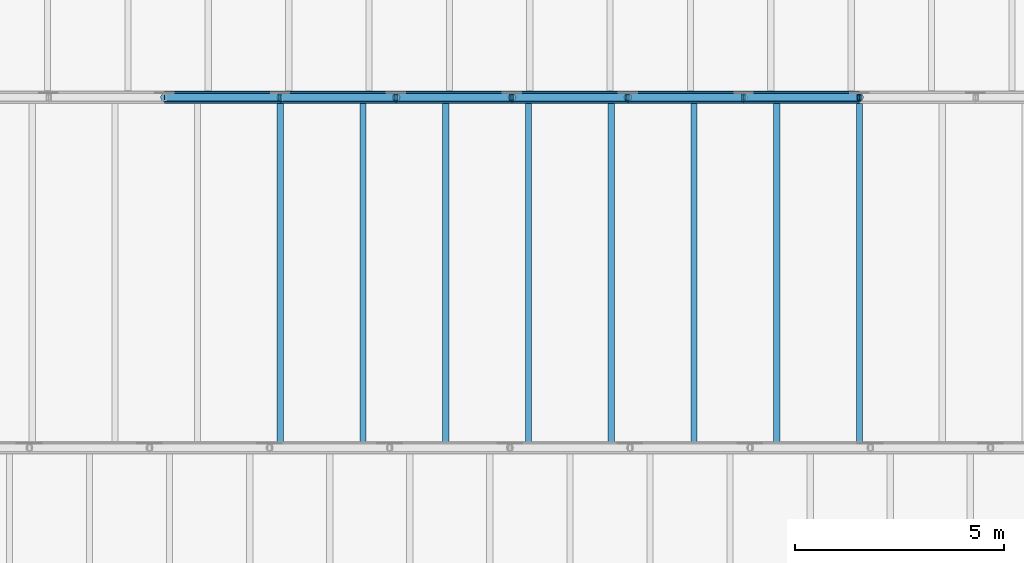
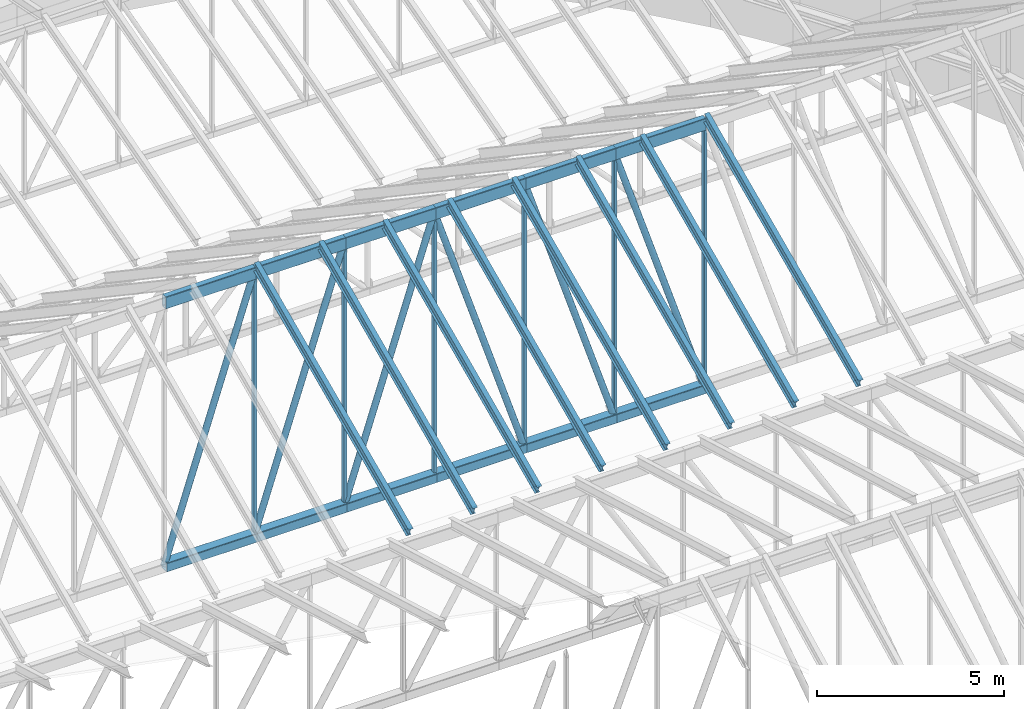
# One storey, part 22 of 68: 20 members, 12 beams.
"""IFC4 building model written with IfcOpenShell, lengths in metres."""

import ifcopenshell
import ifcopenshell.guid

model = None  # the IFC model being written
_history = None  # IfcOwnerHistory: only IFC2X3 demands one
_inside = {}  # id of a spatial element -> (the spatial element, [elements in it])
_under = {}  # id of a project, library or spatial element -> (it, [spatial elements below it])
_declared = {}  # id of a project -> (the project, [libraries it declares])
_typed = {}  # id of a type object -> (the type object, [elements of that type])
_made_of = {}  # id of a material, layer set ... -> (it, [elements and type objects made of it])


def new_model(schema):
    """Start an empty IFC model of exactly this schema.

    Asked for "IFC4X3", IfcOpenShell would pick the latest addendum, in which some entities
    have other attributes; the version numbers below select the first issue.
    IFC2X3 requires an IfcOwnerHistory on every rooted entity: one is made here for all.
    """
    global model, _history
    if schema == "IFC4X3":
        model = ifcopenshell.file(schema_version=(4, 3, 0, 0))
    else:
        model = ifcopenshell.file(schema=schema)
    _inside.clear()
    _under.clear()
    _declared.clear()
    _typed.clear()
    _made_of.clear()
    _history = None
    if model.schema == "IFC2X3":
        org = make("IfcOrganization", Name="unknown")
        user = make(
            "IfcPersonAndOrganization",
            ThePerson=make("IfcPerson", FamilyName="unknown"),
            TheOrganization=org,
        )
        app = make(
            "IfcApplication",
            ApplicationDeveloper=org,
            Version="unknown",
            ApplicationFullName="unknown",
            ApplicationIdentifier="unknown",
        )
        _history = make(
            "IfcOwnerHistory",
            OwningUser=user,
            OwningApplication=app,
            ChangeAction="ADDED",
            CreationDate=0,
        )
    return model


def make(cls, **values):
    """One entity of the class cls with the attributes given. An attribute that is None is left unset."""
    return model.create_entity(
        cls, **{name: value for name, value in values.items() if value is not None}
    )


def rooted(cls, **values):
    """An entity with a GlobalId (a new one), such as an element, a storey or a relation."""
    return make(cls, GlobalId=ifcopenshell.guid.new(), OwnerHistory=_history, **values)


def si_unit(unit_type, name, prefix=None):
    """IfcSIUnit, for example si_unit("LENGTHUNIT", "METRE", prefix="MILLI")."""
    return make("IfcSIUnit", UnitType=unit_type, Prefix=prefix, Name=name)


def assignment(units):
    """IfcUnitAssignment: the units of a project."""
    return None if units is None else make("IfcUnitAssignment", Units=units)


def point(xyz):
    """IfcCartesianPoint."""
    return None if xyz is None else make("IfcCartesianPoint", Coordinates=xyz)


def direction(xyz):
    """IfcDirection."""
    return None if xyz is None else make("IfcDirection", DirectionRatios=xyz)


def frame(location, z_axis=None, x_axis=None):
    """IfcAxis2Placement3D, a coordinate frame: its origin and axes. An axis left out is left unset."""
    return make(
        "IfcAxis2Placement3D",
        Location=point(location),
        Axis=direction(z_axis),
        RefDirection=direction(x_axis),
    )


def frame_2d(location, x_axis=None):
    """IfcAxis2Placement2D, a coordinate frame in the plane: its origin and x axis."""
    return make(
        "IfcAxis2Placement2D", Location=point(location), RefDirection=direction(x_axis)
    )


def origin():
    """The frame at (0, 0, 0) with its axes left unset."""
    return frame((0.0, 0.0, 0.0))


def origin_2d():
    """The frame at (0, 0) in the plane with its x axis left unset."""
    return frame_2d((0.0, 0.0))


def place(relative_to, where):
    """IfcLocalPlacement: puts the frame where relative to a parent placement (None: the world)."""
    return make(
        "IfcLocalPlacement", PlacementRelTo=relative_to, RelativePlacement=where
    )


def context(
    kind, dimensions, precision=None, world=None, true_north=None, identifier=None
):
    """IfcGeometricRepresentationContext, for example the 3D "Model" context."""
    return make(
        "IfcGeometricRepresentationContext",
        ContextIdentifier=identifier,
        ContextType=kind,
        CoordinateSpaceDimension=dimensions,
        Precision=precision,
        WorldCoordinateSystem=world,
        TrueNorth=true_north,
    )


def subcontext(parent, identifier, kind, view, scale=None):
    """IfcGeometricRepresentationSubContext, for example "Body" below "Model"."""
    return make(
        "IfcGeometricRepresentationSubContext",
        ContextIdentifier=identifier,
        ContextType=kind,
        ParentContext=parent,
        TargetScale=scale,
        TargetView=view,
    )


def project(units=None, contexts=None):
    """IfcProject with its units and contexts."""
    return rooted(
        "IfcProject",
        Name="project",
        RepresentationContexts=contexts,
        UnitsInContext=assignment(units),
    )


def spatial(cls, under=None, at=None, **own):
    """A site, building, storey or space (cls), placed at a placement, below another one or the project."""
    s = rooted(cls, ObjectPlacement=at, **own)
    if under is not None:
        _under.setdefault(under.id(), (under, []))[1].append(s)
    return s


def profile(cls, at=None, kind="AREA", **sizes):
    """A parametric profile (cls). Its sizes go by their IFC names, for example OverallWidth=200.0."""
    return make(cls, ProfileType=kind, Position=at, **sizes)


def hollow_rectangle(**sizes):
    """IfcRectangleHollowProfileDef."""
    return profile("IfcRectangleHollowProfileDef", **sizes)


def hollow_circle(**sizes):
    """IfcCircleHollowProfileDef."""
    return profile("IfcCircleHollowProfileDef", **sizes)


def i_section(**sizes):
    """IfcIShapeProfileDef."""
    return profile("IfcIShapeProfileDef", **sizes)


def extrude(swept, where, along, depth):
    """IfcExtrudedAreaSolid: the profile swept, set in the frame where, extruded along a direction by depth."""
    return make(
        "IfcExtrudedAreaSolid",
        SweptArea=swept,
        Position=where,
        ExtrudedDirection=direction(along),
        Depth=depth,
    )


def shape(context_of_items, identifier, shape_type, items):
    """IfcShapeRepresentation: the items that make up one representation, for example the "Body"."""
    return make(
        "IfcShapeRepresentation",
        ContextOfItems=context_of_items,
        RepresentationIdentifier=identifier,
        RepresentationType=shape_type,
        Items=items,
    )


def material(Name=None, Category=None):
    """IfcMaterial."""
    return make("IfcMaterial", Name=Name, Category=Category)


def material_profile(
    of_material, cross_section, Name=None, Category=None, Priority=None
):
    """IfcMaterialProfile: a cross section and its material."""
    return make(
        "IfcMaterialProfile",
        Name=Name,
        Material=of_material,
        Profile=cross_section,
        Priority=Priority,
        Category=Category,
    )


def profile_set(profiles, Name=None, composite=None):
    """IfcMaterialProfileSet."""
    return make(
        "IfcMaterialProfileSet",
        Name=Name,
        MaterialProfiles=profiles,
        CompositeProfile=composite,
    )


def made_of(thing, what):
    """Note that an element or type object is made of a material, layer set ...; save() writes the relation."""
    if what is not None:
        _made_of.setdefault(what.id(), (what, []))[1].append(thing)
    return thing


def type_object(cls, material=None, **own):
    """A type object (cls), such as IfcWallType, which elements share."""
    return made_of(rooted(cls, **own), material)


def element(
    cls,
    number,
    at=None,
    inside=None,
    cuts=None,
    type_object=None,
    material=None,
    context=None,
    identifier="Body",
    shape_type=None,
    held_by="IfcProductDefinitionShape",
    body=None,
    shapes=None,
    **own,
):
    """One element of the class cls, such as IfcWall. Its Tag is "e" and its number.

    at: its placement. inside: the storey or other place that contains it. cuts: it is an
    opening in that element (IfcRelVoidsElement). A single representation is given by context,
    identifier, shape_type and body (its items); several are given by shapes. held_by: the class
    of the entity that holds the representations. save() writes the other relations.
    """
    e = rooted(cls, Tag="e%d" % number, ObjectPlacement=at, **own)
    if body is not None:
        shapes = [shape(context, identifier, shape_type, body)]
    if shapes is not None:
        e.Representation = make(held_by, Representations=shapes)
    if inside is not None:
        _inside.setdefault(inside.id(), (inside, []))[1].append(e)
    if cuts is not None:
        rooted(
            "IfcRelVoidsElement", RelatingBuildingElement=cuts, RelatedOpeningElement=e
        )
    if type_object is not None:
        _typed.setdefault(type_object.id(), (type_object, []))[1].append(e)
    return made_of(e, material)


def aggregate(whole, parts):
    """IfcRelAggregates: a whole, such as a stair, and the parts it consists of."""
    return rooted("IfcRelAggregates", RelatingObject=whole, RelatedObjects=parts)


def save(model, path):
    """Write the relations noted so far, then the file.

    IfcRelAggregates (storeys below a building ...), IfcRelContainedInSpatialStructure (elements
    in a storey), IfcRelDefinesByType, IfcRelAssociatesMaterial and IfcRelDeclares: one each for
    every whole, place, type object, material and project.
    """
    for whole, parts in _under.values():
        aggregate(whole, parts)
    for where, things in _inside.values():
        rooted(
            "IfcRelContainedInSpatialStructure",
            RelatedElements=things,
            RelatingStructure=where,
        )
    for kind, things in _typed.values():
        rooted("IfcRelDefinesByType", RelatedObjects=things, RelatingType=kind)
    for what, things in _made_of.values():
        rooted("IfcRelAssociatesMaterial", RelatedObjects=things, RelatingMaterial=what)
    for by, libraries in _declared.values():
        rooted("IfcRelDeclares", RelatingContext=by, RelatedDefinitions=libraries)
    model.write(path)


model = new_model("IFC4")

# Units and contexts
model_context = context("Model", 3, precision=1e-05, world=origin(), true_north=direction((0.0, 1.0)))
body_context = subcontext(model_context, "Body", "Model", "MODEL_VIEW")
ifc_project = project(units=[si_unit("LENGTHUNIT", "METRE"), si_unit("AREAUNIT", "SQUARE_METRE"), si_unit("VOLUMEUNIT", "CUBIC_METRE"), si_unit("PLANEANGLEUNIT", "RADIAN"), si_unit("MASSUNIT", "GRAM", prefix="KILO")], contexts=[model_context])

# Site, building, storey
site_placement = place(None, origin())
site = spatial("IfcSite", under=ifc_project, at=site_placement, CompositionType="ELEMENT")
building_placement = place(site_placement, origin())
building = spatial("IfcBuilding", under=site, at=building_placement, Name="Larchfold Concert Hall", CompositionType="ELEMENT")
storey_placement = place(building_placement, frame((0.0, 0.0, 28.800048828125)))
storey = spatial("IfcBuildingStorey", under=building, at=storey_placement, Name="L06", CompositionType="ELEMENT", Elevation=28.800048828125)

# Members
ifc_material_1 = material(Name="Steel S355", Category="steel")
ifc_material_profile_1 = material_profile(ifc_material_1, i_section(OverallWidth=0.14990234375, OverallDepth=0.300048828125, WebThickness=0.007080078125, FlangeThickness=0.0107421875, FilletRadius=0.014892578125, at=origin_2d()))
ifc_profile_set_1 = profile_set([ifc_material_profile_1], Name="Steel S355")
member_type_1 = type_object("IfcMemberType", Name="Rafter IPE 300", PredefinedType="RAFTER", material=ifc_profile_set_1)
for number, where, z_axis, x_axis, name in (
    (1, (35.6572265625, 85.280029296875, 5.144775390625), (0.0, 0.911121197743, 0.412138524072), (-1.0, 0.0, 0.0), "Member RF0074"),
    (2, (37.640869140625, 85.280029296875, 5.144775390625), (0.0, 0.911121197743, 0.412138524072), (-1.0, 0.0, 0.0), "Member RF0075"),
    (3, (39.62451171875, 85.280029296875, 5.144775390625), (0.0, 0.911121197743, 0.412138524072), (-1.0, 0.0, 0.0), "Member RF0076"),
    (4, (41.608154296875, 85.280029296875, 5.144775390625), (0.0, 0.911121197743, 0.412138524072), (-1.0, 0.0, 0.0), "Member RF0077"),
    (5, (43.592041015625, 85.280029296875, 5.144775390625), (0.0, 0.911121197743, 0.412138524072), (-1.0, 0.0, 0.0), "Member RF0078"),
    (6, (45.57568359375, 85.280029296875, 5.144775390625), (0.0, 0.911121197743, 0.412138524072), (-1.0, 0.0, 0.0), "Member RF0079"),
    (7, (47.559326171875, 85.280029296875, 5.144775390625), (0.0, 0.911121197743, 0.412138524072), (-1.0, 0.0, 0.0), "Member RF0080"),
    (8, (49.54296875, 85.280029296875, 5.144775390625), (0.0, 0.911121197743, 0.412138524072), (-1.0, 0.0, 0.0), "Member RF0081"),
):
    element("IfcMember", number, at=place(storey_placement, frame(where, z_axis=z_axis, x_axis=x_axis)), inside=storey, type_object=member_type_1, Name=name, PredefinedType="RAFTER", context=body_context, shape_type="SweptSolid", body=[
        extrude(i_section(OverallWidth=0.14990234375, OverallDepth=0.300048828125, WebThickness=0.007080078125, FlangeThickness=0.0107421875, FilletRadius=0.014892578125, at=origin_2d()), origin(), (0.0, 0.0, 1.0), 9.043701171875),
    ])

# Beams
ifc_material_2 = material(Name="Steel S355J2H", Category="steel")
ifc_material_profile_2 = material_profile(ifc_material_2, hollow_rectangle(XDim=0.199951171875, YDim=0.39990234375, WallThickness=0.012451171875, InnerFilletRadius=0.018798828125, OuterFilletRadius=0.03125, at=origin_2d()))
ifc_profile_set_2 = profile_set([ifc_material_profile_2], Name="Steel S355J2H")
beam_type_1 = type_object("IfcBeamType", Name="Truss chord RHS 400x200x12.5", PredefinedType="BEAM", material=ifc_profile_set_2)
beam_1_placement = place(storey_placement, frame((32.877197265625, 93.60009765625, 8.599853515625), z_axis=(1.0, 0.0, 0.0), x_axis=(0.0, 1.0, 0.0)))
element("IfcBeam", 9, at=beam_1_placement, inside=storey, type_object=beam_type_1, Name="Beam FT5T06", PredefinedType="BEAM", context=body_context, shape_type="SweptSolid", body=[
    extrude(hollow_rectangle(XDim=0.199951171875, YDim=0.39990234375, WallThickness=0.012451171875, InnerFilletRadius=0.018798828125, OuterFilletRadius=0.03125, at=origin_2d()), origin(), (0.0, 0.0, 1.0), 2.778076171875),
])
beam_2_placement = place(storey_placement, frame((35.6552734375, 93.60009765625, 8.599853515625), z_axis=(1.0, 0.0, 0.0), x_axis=(0.0, 1.0, 0.0)))
element("IfcBeam", 10, at=beam_2_placement, inside=storey, type_object=beam_type_1, Name="Beam FT5T07", PredefinedType="BEAM", context=body_context, shape_type="SweptSolid", body=[
    extrude(hollow_rectangle(XDim=0.199951171875, YDim=0.39990234375, WallThickness=0.012451171875, InnerFilletRadius=0.018798828125, OuterFilletRadius=0.03125, at=origin_2d()), origin(), (0.0, 0.0, 1.0), 2.77783203125),
])
beam_3_placement = place(storey_placement, frame((38.43310546875, 93.60009765625, 8.599853515625), z_axis=(1.0, 0.0, 0.0), x_axis=(0.0, 1.0, 0.0)))
element("IfcBeam", 11, at=beam_3_placement, inside=storey, type_object=beam_type_1, Name="Beam FT5T08", PredefinedType="BEAM", context=body_context, shape_type="SweptSolid", body=[
    extrude(hollow_rectangle(XDim=0.199951171875, YDim=0.39990234375, WallThickness=0.012451171875, InnerFilletRadius=0.018798828125, OuterFilletRadius=0.03125, at=origin_2d()), origin(), (0.0, 0.0, 1.0), 2.778076171875),
])
beam_4_placement = place(storey_placement, frame((41.211181640625, 93.60009765625, 8.599853515625), z_axis=(1.0, 0.0, 0.0), x_axis=(0.0, 1.0, 0.0)))
element("IfcBeam", 12, at=beam_4_placement, inside=storey, type_object=beam_type_1, Name="Beam FT5T09", PredefinedType="BEAM", context=body_context, shape_type="SweptSolid", body=[
    extrude(hollow_rectangle(XDim=0.199951171875, YDim=0.39990234375, WallThickness=0.012451171875, InnerFilletRadius=0.018798828125, OuterFilletRadius=0.03125, at=origin_2d()), origin(), (0.0, 0.0, 1.0), 2.77783203125),
])
beam_5_placement = place(storey_placement, frame((43.989013671875, 93.60009765625, 8.599853515625), z_axis=(1.0, 0.0, 0.0), x_axis=(0.0, 1.0, 0.0)))
element("IfcBeam", 13, at=beam_5_placement, inside=storey, type_object=beam_type_1, Name="Beam FT5T10", PredefinedType="BEAM", context=body_context, shape_type="SweptSolid", body=[
    extrude(hollow_rectangle(XDim=0.199951171875, YDim=0.39990234375, WallThickness=0.012451171875, InnerFilletRadius=0.018798828125, OuterFilletRadius=0.03125, at=origin_2d()), origin(), (0.0, 0.0, 1.0), 2.778076171875),
])
beam_6_placement = place(storey_placement, frame((46.76708984375, 93.60009765625, 8.599853515625), z_axis=(1.0, 0.0, 0.0), x_axis=(0.0, 1.0, 0.0)))
element("IfcBeam", 14, at=beam_6_placement, inside=storey, type_object=beam_type_1, Name="Beam FT5T11", PredefinedType="BEAM", context=body_context, shape_type="SweptSolid", body=[
    extrude(hollow_rectangle(XDim=0.199951171875, YDim=0.39990234375, WallThickness=0.012451171875, InnerFilletRadius=0.018798828125, OuterFilletRadius=0.03125, at=origin_2d()), origin(), (0.0, 0.0, 1.0), 2.77783203125),
])

# Members
ifc_material_3 = material(Name="Steel S355J2H", Category="steel")
ifc_material_profile_3 = material_profile(ifc_material_3, hollow_rectangle(XDim=0.10009765625, YDim=0.14990234375, WallThickness=0.008056640625, InnerFilletRadius=0.008056640625, OuterFilletRadius=0.01611328125, at=origin_2d()))
ifc_profile_set_3 = profile_set([ifc_material_profile_3], Name="Steel S355J2H")
member_type_2 = type_object("IfcMemberType", Name="Truss post RHS 150x100x8", PredefinedType="POST", material=ifc_profile_set_3)
for number, where, z_axis, x_axis, name in (
    (15, (35.6552734375, 93.60009765625, 8.599853515625), (0.0, 0.0, -1.0), (1.0, 0.0, 0.0), "Member FT5V07"),
    (16, (38.43310546875, 93.60009765625, 8.599853515625), (0.0, 0.0, -1.0), (1.0, 0.0, 0.0), "Member FT5V08"),
    (17, (41.211181640625, 93.60009765625, 8.599853515625), (0.0, 0.0, -1.0), (1.0, 0.0, 0.0), "Member FT5V09"),
    (18, (43.989013671875, 93.60009765625, 8.599853515625), (0.0, 0.0, -1.0), (1.0, 0.0, 0.0), "Member FT5V10"),
    (19, (46.76708984375, 93.60009765625, 8.599853515625), (0.0, 0.0, -1.0), (1.0, 0.0, 0.0), "Member FT5V11"),
    (20, (49.544921875, 93.60009765625, 8.599853515625), (0.0, 0.0, -1.0), (1.0, 0.0, 0.0), "Member FT5V12"),
):
    element("IfcMember", number, at=place(storey_placement, frame(where, z_axis=z_axis, x_axis=x_axis)), inside=storey, type_object=member_type_2, Name=name, PredefinedType="POST", context=body_context, shape_type="SweptSolid", body=[
        extrude(hollow_rectangle(XDim=0.10009765625, YDim=0.14990234375, WallThickness=0.008056640625, InnerFilletRadius=0.008056640625, OuterFilletRadius=0.01611328125, at=origin_2d()), origin(), (0.0, 0.0, 1.0), 8.599853515625),
    ])

# Beams
ifc_material_4 = material(Name="Steel S355J2H", Category="steel")
ifc_material_profile_4 = material_profile(ifc_material_4, hollow_rectangle(XDim=0.300048828125, YDim=0.300048828125, WallThickness=0.012451171875, InnerFilletRadius=0.018798828125, OuterFilletRadius=0.03125, at=origin_2d()))
ifc_profile_set_4 = profile_set([ifc_material_profile_4], Name="Steel S355J2H")
beam_type_2 = type_object("IfcBeamType", Name="Truss tie SHS 300x300x12.5", PredefinedType="BEAM", material=ifc_profile_set_4)
beam_7_placement = place(storey_placement, frame((32.877197265625, 93.60009765625, 0.0), z_axis=(1.0, 0.0, 0.0), x_axis=(0.0, 1.0, 0.0)))
element("IfcBeam", 21, at=beam_7_placement, inside=storey, type_object=beam_type_2, Name="Beam FT5B06", PredefinedType="BEAM", context=body_context, shape_type="SweptSolid", body=[
    extrude(hollow_rectangle(XDim=0.300048828125, YDim=0.300048828125, WallThickness=0.012451171875, InnerFilletRadius=0.018798828125, OuterFilletRadius=0.03125, at=origin_2d()), origin(), (0.0, 0.0, 1.0), 2.778076171875),
])
beam_8_placement = place(storey_placement, frame((35.6552734375, 93.60009765625, 0.0), z_axis=(1.0, 0.0, 0.0), x_axis=(0.0, 1.0, 0.0)))
element("IfcBeam", 22, at=beam_8_placement, inside=storey, type_object=beam_type_2, Name="Beam FT5B07", PredefinedType="BEAM", context=body_context, shape_type="SweptSolid", body=[
    extrude(hollow_rectangle(XDim=0.300048828125, YDim=0.300048828125, WallThickness=0.012451171875, InnerFilletRadius=0.018798828125, OuterFilletRadius=0.03125, at=origin_2d()), origin(), (0.0, 0.0, 1.0), 2.77783203125),
])
beam_9_placement = place(storey_placement, frame((38.43310546875, 93.60009765625, 0.0), z_axis=(1.0, 0.0, 0.0), x_axis=(0.0, 1.0, 0.0)))
element("IfcBeam", 23, at=beam_9_placement, inside=storey, type_object=beam_type_2, Name="Beam FT5B08", PredefinedType="BEAM", context=body_context, shape_type="SweptSolid", body=[
    extrude(hollow_rectangle(XDim=0.300048828125, YDim=0.300048828125, WallThickness=0.012451171875, InnerFilletRadius=0.018798828125, OuterFilletRadius=0.03125, at=origin_2d()), origin(), (0.0, 0.0, 1.0), 2.778076171875),
])
beam_10_placement = place(storey_placement, frame((41.211181640625, 93.60009765625, 0.0), z_axis=(1.0, 0.0, 0.0), x_axis=(0.0, 1.0, 0.0)))
element("IfcBeam", 24, at=beam_10_placement, inside=storey, type_object=beam_type_2, Name="Beam FT5B09", PredefinedType="BEAM", context=body_context, shape_type="SweptSolid", body=[
    extrude(hollow_rectangle(XDim=0.300048828125, YDim=0.300048828125, WallThickness=0.012451171875, InnerFilletRadius=0.018798828125, OuterFilletRadius=0.03125, at=origin_2d()), origin(), (0.0, 0.0, 1.0), 2.77783203125),
])
beam_11_placement = place(storey_placement, frame((43.989013671875, 93.60009765625, 0.0), z_axis=(1.0, 0.0, 0.0), x_axis=(0.0, 1.0, 0.0)))
element("IfcBeam", 25, at=beam_11_placement, inside=storey, type_object=beam_type_2, Name="Beam FT5B10", PredefinedType="BEAM", context=body_context, shape_type="SweptSolid", body=[
    extrude(hollow_rectangle(XDim=0.300048828125, YDim=0.300048828125, WallThickness=0.012451171875, InnerFilletRadius=0.018798828125, OuterFilletRadius=0.03125, at=origin_2d()), origin(), (0.0, 0.0, 1.0), 2.778076171875),
])
beam_12_placement = place(storey_placement, frame((46.76708984375, 93.60009765625, 0.0), z_axis=(1.0, 0.0, 0.0), x_axis=(0.0, 1.0, 0.0)))
element("IfcBeam", 26, at=beam_12_placement, inside=storey, type_object=beam_type_2, Name="Beam FT5B11", PredefinedType="BEAM", context=body_context, shape_type="SweptSolid", body=[
    extrude(hollow_rectangle(XDim=0.300048828125, YDim=0.300048828125, WallThickness=0.012451171875, InnerFilletRadius=0.018798828125, OuterFilletRadius=0.03125, at=origin_2d()), origin(), (0.0, 0.0, 1.0), 2.77783203125),
])

# Members
ifc_material_5 = material(Name="Steel S355J2H", Category="steel")
ifc_material_profile_5 = material_profile(ifc_material_5, hollow_circle(Radius=0.096923828125, WallThickness=0.008056640625, at=origin_2d()))
ifc_profile_set_5 = profile_set([ifc_material_profile_5], Name="Steel S355J2H")
member_type_3 = type_object("IfcMemberType", Name="Truss web CHS 193.7x8", PredefinedType="BRACE", material=ifc_profile_set_5)
for number, where, z_axis, x_axis, name in (
    (27, (32.877197265625, 93.60009765625, 0.0), (0.307396613597, 0.0, 0.951581484661), (0.0, 1.0, 0.0), "Member FT5D06"),
    (28, (35.6552734375, 93.60009765625, 0.0), (0.307372151575, 0.0, 0.951589386467), (0.0, 1.0, 0.0), "Member FT5D07"),
    (29, (38.43310546875, 93.60009765625, 0.0), (0.307396613597, 0.0, 0.951581484661), (0.0, 1.0, 0.0), "Member FT5D08"),
    (30, (41.211181640625, 93.60009765625, 8.599853515625), (0.307372151575, 0.0, -0.951589386467), (0.0, 1.0, 0.0), "Member FT5D09"),
    (31, (43.989013671875, 93.60009765625, 8.599853515625), (0.307396613597, 0.0, -0.951581484661), (0.0, 1.0, 0.0), "Member FT5D10"),
    (32, (46.76708984375, 93.60009765625, 8.599853515625), (0.307372151575, 0.0, -0.951589386467), (0.0, 1.0, 0.0), "Member FT5D11"),
):
    element("IfcMember", number, at=place(storey_placement, frame(where, z_axis=z_axis, x_axis=x_axis)), inside=storey, type_object=member_type_3, Name=name, PredefinedType="BRACE", context=body_context, shape_type="SweptSolid", body=[
        extrude(hollow_circle(Radius=0.096923828125, WallThickness=0.008056640625, at=origin_2d()), origin(), (0.0, 0.0, 1.0), 9.037353515625),
    ])

save(model, "model.ifc")
